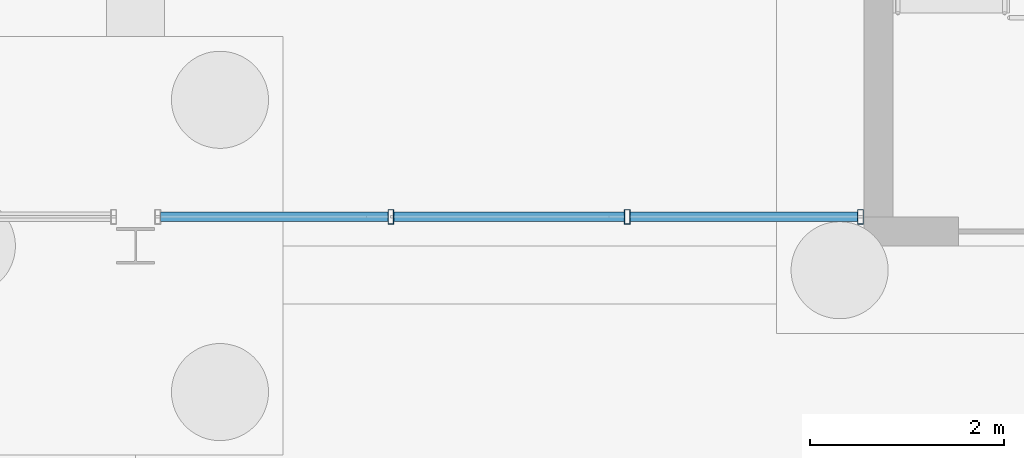
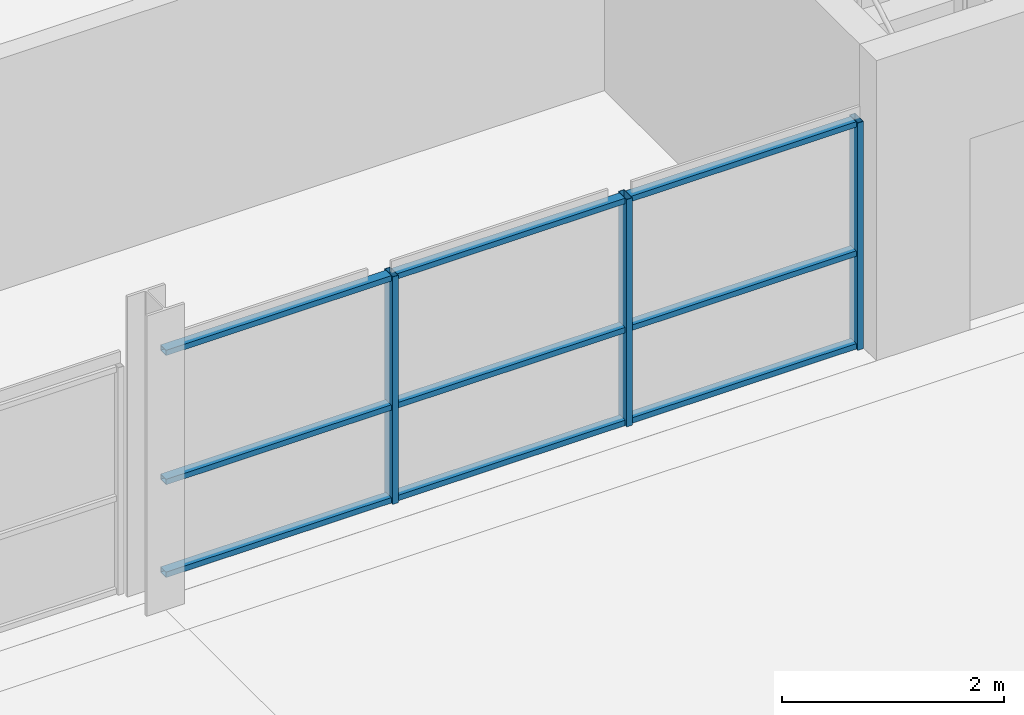
# One storey, part 54 of 130: 12 members, 1 element without a shape of its own.
"""IFC4 building model written with IfcOpenShell, lengths in metres."""

from ifc_helpers import new_model, si_unit, direction, frame, origin, origin_2d, place, context, subcontext, project, spatial, hollow_rectangle, extrude, material, material_profile, profile_set, type_object, element, aggregate, save


model = new_model("IFC4")

# Units and contexts
model_context = context("Model", 3, precision=1e-05, world=origin(), true_north=direction((0.0, 1.0)))
body_context = subcontext(model_context, "Body", "Model", "MODEL_VIEW")
ifc_project = project(units=[si_unit("LENGTHUNIT", "METRE"), si_unit("AREAUNIT", "SQUARE_METRE"), si_unit("VOLUMEUNIT", "CUBIC_METRE"), si_unit("PLANEANGLEUNIT", "RADIAN"), si_unit("MASSUNIT", "GRAM", prefix="KILO")], contexts=[model_context])

# Site, building, storey
site_placement = place(None, origin())
site = spatial("IfcSite", under=ifc_project, at=site_placement, CompositionType="ELEMENT")
building_placement = place(site_placement, origin())
building = spatial("IfcBuilding", under=site, at=building_placement, Name="Parallax Yard Mobility Hub", CompositionType="ELEMENT")
storey_placement = place(building_placement, origin())
storey = spatial("IfcBuildingStorey", under=building, at=storey_placement, Name="L00", CompositionType="ELEMENT", Elevation=0.0)

# Curtain wall, members
ifc_material_1 = material(Name="Aluminium and glass curtain wall", Category="aluminium")
curtain_wall_type = type_object("IfcCurtainWallType", Name="Curtain wall, aluminium stick system", PredefinedType="NOTDEFINED", material=ifc_material_1)
curtain_wall_placement = place(storey_placement, origin())
curtain_wall = element("IfcCurtainWall", 1, at=curtain_wall_placement, inside=storey, type_object=curtain_wall_type, Name="Curtain wall CW17 level L00 bay 12", PredefinedType="NOTDEFINED")
ifc_material_2 = material(Name="Aluminium 6063-T6 anodised", Category="aluminium")
ifc_material_profile_1 = material_profile(ifc_material_2, hollow_rectangle(XDim=0.14990234375, YDim=0.06005859375, WallThickness=0.00390625, at=origin_2d()), Name="RHS 60x150x4")
ifc_profile_set_1 = profile_set([ifc_material_profile_1], Name="Aluminium 6063-T6 anodised")
member_type_1 = type_object("IfcMemberType", Name="Curtain wall mullion RHS 60x150x4", PredefinedType="MULLION", material=ifc_profile_set_1)
member_1_placement = place(storey_placement, frame((122.629638671875, 112.800048828125, 0.0), z_axis=(0.0, 0.0, 1.0), x_axis=(0.0, 1.0, 0.0)))
member_1 = element("IfcMember", 2, at=member_1_placement, type_object=member_type_1, Name="CW17 mullion 2", PredefinedType="MULLION", context=body_context, shape_type="SweptSolid", body=[
    extrude(hollow_rectangle(XDim=0.14990234375, YDim=0.06005859375, WallThickness=0.00390625, at=origin_2d()), origin(), (0.0, 0.0, 1.0), 2.5),
])
member_2_placement = place(storey_placement, frame((125.062255859375, 112.800048828125, 0.0), z_axis=(0.0, 0.0, 1.0), x_axis=(0.0, 1.0, 0.0)))
member_2 = element("IfcMember", 3, at=member_2_placement, type_object=member_type_1, Name="CW17 mullion 3", PredefinedType="MULLION", context=body_context, shape_type="SweptSolid", body=[
    extrude(hollow_rectangle(XDim=0.14990234375, YDim=0.06005859375, WallThickness=0.00390625, at=origin_2d()), origin(), (0.0, 0.0, 1.0), 2.5),
])
member_3_placement = place(storey_placement, frame((127.465087890625, 112.800048828125, 0.0), z_axis=(0.0, 0.0, 1.0), x_axis=(0.0, 1.0, 0.0)))
member_3 = element("IfcMember", 4, at=member_3_placement, type_object=member_type_1, Name="CW17 mullion 4", PredefinedType="MULLION", context=body_context, shape_type="SweptSolid", body=[
    extrude(hollow_rectangle(XDim=0.14990234375, YDim=0.06005859375, WallThickness=0.00390625, at=origin_2d()), origin(), (0.0, 0.0, 1.0), 2.5),
])
ifc_material_profile_2 = material_profile(ifc_material_2, hollow_rectangle(XDim=0.10009765625, YDim=0.06005859375, WallThickness=0.00390625, at=origin_2d()), Name="RHS 60x100x4")
ifc_profile_set_2 = profile_set([ifc_material_profile_2], Name="Aluminium 6063-T6 anodised")
member_type_2 = type_object("IfcMemberType", Name="Curtain wall transom RHS 60x100x4", PredefinedType="USERDEFINED", material=ifc_profile_set_2)
member_4_placement = place(storey_placement, frame((120.257080078125, 112.800048828125, 0.030029296875), z_axis=(1.0, 0.0, 0.0), x_axis=(0.0, 1.0, 0.0)))
member_4 = element("IfcMember", 5, at=member_4_placement, type_object=member_type_2, Name="CW17 transom 1.1", ObjectType="TRANSOM", PredefinedType="USERDEFINED", context=body_context, shape_type="SweptSolid", body=[
    extrude(hollow_rectangle(XDim=0.10009765625, YDim=0.06005859375, WallThickness=0.00390625, at=origin_2d()), origin(), (0.0, 0.0, 1.0), 2.342529296875),
])
member_5_placement = place(storey_placement, frame((120.257080078125, 112.800048828125, 1.050048828125), z_axis=(1.0, 0.0, 0.0), x_axis=(0.0, 1.0, 0.0)))
member_5 = element("IfcMember", 6, at=member_5_placement, type_object=member_type_2, Name="CW17 transom 1.2", ObjectType="TRANSOM", PredefinedType="USERDEFINED", context=body_context, shape_type="SweptSolid", body=[
    extrude(hollow_rectangle(XDim=0.10009765625, YDim=0.06005859375, WallThickness=0.00390625, at=origin_2d()), origin(), (0.0, 0.0, 1.0), 2.342529296875),
])
member_6_placement = place(storey_placement, frame((120.257080078125, 112.800048828125, 2.469970703125), z_axis=(1.0, 0.0, 0.0), x_axis=(0.0, 1.0, 0.0)))
member_6 = element("IfcMember", 7, at=member_6_placement, type_object=member_type_2, Name="CW17 transom 1.3", ObjectType="TRANSOM", PredefinedType="USERDEFINED", context=body_context, shape_type="SweptSolid", body=[
    extrude(hollow_rectangle(XDim=0.10009765625, YDim=0.06005859375, WallThickness=0.00390625, at=origin_2d()), origin(), (0.0, 0.0, 1.0), 2.342529296875),
])
member_7_placement = place(storey_placement, frame((122.65966796875, 112.800048828125, 0.030029296875), z_axis=(1.0, 0.0, 0.0), x_axis=(0.0, 1.0, 0.0)))
member_7 = element("IfcMember", 8, at=member_7_placement, type_object=member_type_2, Name="CW17 transom 2.1", ObjectType="TRANSOM", PredefinedType="USERDEFINED", context=body_context, shape_type="SweptSolid", body=[
    extrude(hollow_rectangle(XDim=0.10009765625, YDim=0.06005859375, WallThickness=0.00390625, at=origin_2d()), origin(), (0.0, 0.0, 1.0), 2.37255859375),
])
member_8_placement = place(storey_placement, frame((122.65966796875, 112.800048828125, 1.050048828125), z_axis=(1.0, 0.0, 0.0), x_axis=(0.0, 1.0, 0.0)))
member_8 = element("IfcMember", 9, at=member_8_placement, type_object=member_type_2, Name="CW17 transom 2.2", ObjectType="TRANSOM", PredefinedType="USERDEFINED", context=body_context, shape_type="SweptSolid", body=[
    extrude(hollow_rectangle(XDim=0.10009765625, YDim=0.06005859375, WallThickness=0.00390625, at=origin_2d()), origin(), (0.0, 0.0, 1.0), 2.37255859375),
])
member_9_placement = place(storey_placement, frame((122.65966796875, 112.800048828125, 2.469970703125), z_axis=(1.0, 0.0, 0.0), x_axis=(0.0, 1.0, 0.0)))
member_9 = element("IfcMember", 10, at=member_9_placement, type_object=member_type_2, Name="CW17 transom 2.3", ObjectType="TRANSOM", PredefinedType="USERDEFINED", context=body_context, shape_type="SweptSolid", body=[
    extrude(hollow_rectangle(XDim=0.10009765625, YDim=0.06005859375, WallThickness=0.00390625, at=origin_2d()), origin(), (0.0, 0.0, 1.0), 2.37255859375),
])
member_10_placement = place(storey_placement, frame((125.09228515625, 112.800048828125, 0.030029296875), z_axis=(1.0, 0.0, 0.0), x_axis=(0.0, 1.0, 0.0)))
member_10 = element("IfcMember", 11, at=member_10_placement, type_object=member_type_2, Name="CW17 transom 3.1", ObjectType="TRANSOM", PredefinedType="USERDEFINED", context=body_context, shape_type="SweptSolid", body=[
    extrude(hollow_rectangle(XDim=0.10009765625, YDim=0.06005859375, WallThickness=0.00390625, at=origin_2d()), origin(), (0.0, 0.0, 1.0), 2.3427734375),
])
member_11_placement = place(storey_placement, frame((125.09228515625, 112.800048828125, 1.050048828125), z_axis=(1.0, 0.0, 0.0), x_axis=(0.0, 1.0, 0.0)))
member_11 = element("IfcMember", 12, at=member_11_placement, type_object=member_type_2, Name="CW17 transom 3.2", ObjectType="TRANSOM", PredefinedType="USERDEFINED", context=body_context, shape_type="SweptSolid", body=[
    extrude(hollow_rectangle(XDim=0.10009765625, YDim=0.06005859375, WallThickness=0.00390625, at=origin_2d()), origin(), (0.0, 0.0, 1.0), 2.3427734375),
])
member_12_placement = place(storey_placement, frame((125.09228515625, 112.800048828125, 2.469970703125), z_axis=(1.0, 0.0, 0.0), x_axis=(0.0, 1.0, 0.0)))
member_12 = element("IfcMember", 13, at=member_12_placement, type_object=member_type_2, Name="CW17 transom 3.3", ObjectType="TRANSOM", PredefinedType="USERDEFINED", context=body_context, shape_type="SweptSolid", body=[
    extrude(hollow_rectangle(XDim=0.10009765625, YDim=0.06005859375, WallThickness=0.00390625, at=origin_2d()), origin(), (0.0, 0.0, 1.0), 2.3427734375),
])
aggregate(curtain_wall, [member_1, member_2, member_3, member_4, member_5, member_6, member_7, member_8, member_9, member_10, member_11, member_12])

save(model, "model.ifc")
